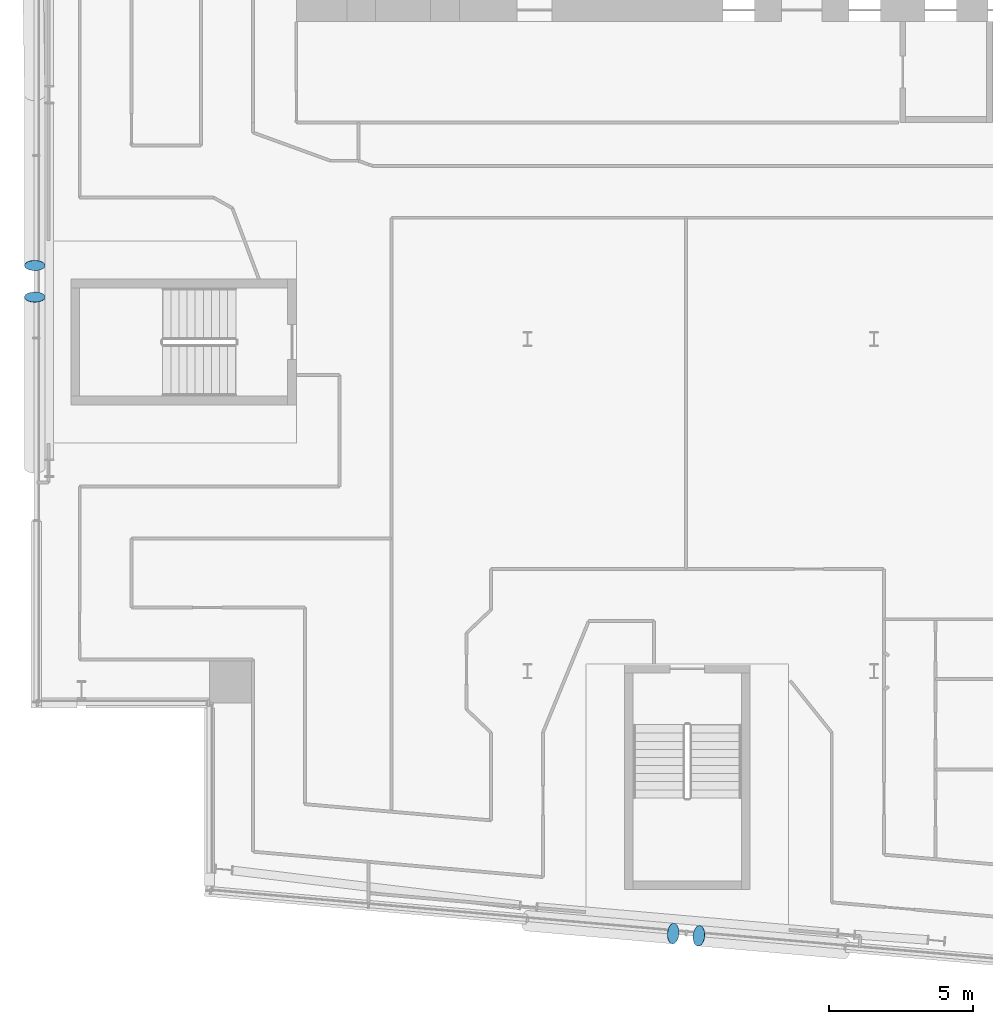
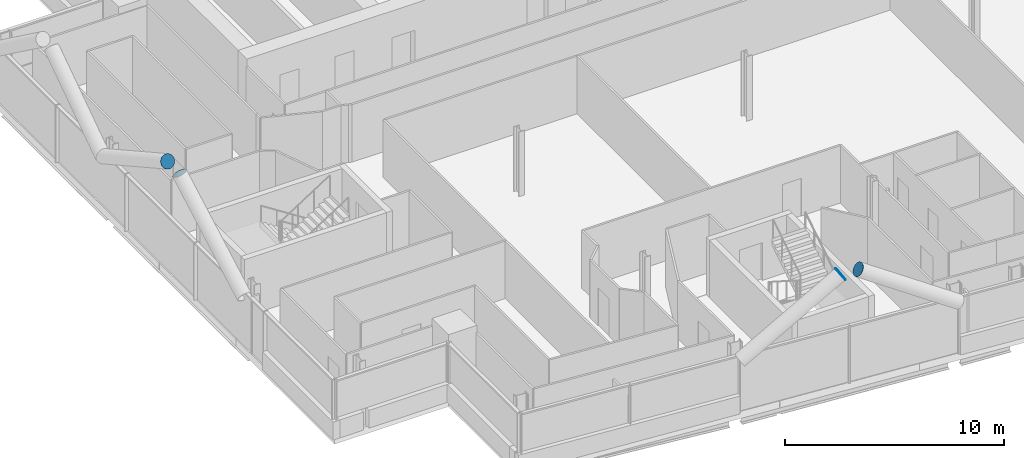
# One storey, part 22 of 27: 4 discrete accessories.
"""IFC4 building model written with IfcOpenShell, lengths in metres."""

from ifc_helpers import new_model, si_unit, direction, frame, origin, origin_2d, place, context, subcontext, project, spatial, circle, extrude, material, material_profile, profile_set, type_object, element, save


model = new_model("IFC4")

# Units and contexts
model_context = context("Model", 3, precision=1e-05, world=origin(), true_north=direction((0.0, 1.0)))
body_context = subcontext(model_context, "Body", "Model", "MODEL_VIEW")
ifc_project = project(units=[si_unit("LENGTHUNIT", "METRE"), si_unit("AREAUNIT", "SQUARE_METRE"), si_unit("VOLUMEUNIT", "CUBIC_METRE"), si_unit("PLANEANGLEUNIT", "RADIAN"), si_unit("MASSUNIT", "GRAM", prefix="KILO")], contexts=[model_context])

# Site, building, storey
site_placement = place(None, origin())
site = spatial("IfcSite", under=ifc_project, at=site_placement, CompositionType="ELEMENT")
building_placement = place(site_placement, origin())
building = spatial("IfcBuilding", under=site, at=building_placement, Name="Wharfspan Tower", CompositionType="ELEMENT")
storey_placement = place(building_placement, frame((0.0, 0.0, 191.5)))
storey = spatial("IfcBuildingStorey", under=building, at=storey_placement, Name="L47", CompositionType="ELEMENT", Elevation=191.5)

# Discrete accessories
ifc_material = material(Name="Steel S460NH", Category="steel")
ifc_material_profile = material_profile(ifc_material, circle(Radius=0.355469, at=origin_2d()))
ifc_profile_set = profile_set([ifc_material_profile], Name="Steel S460NH")
discrete_accessory_type = type_object("IfcDiscreteAccessoryType", Name="End plate CHS 711x36", PredefinedType="BRACKET", material=ifc_profile_set)
discrete_accessory_placement = place(storey_placement, frame((29.043213, 2.41626, 6.204102), z_axis=(0.83357, -0.071449, 0.547774), x_axis=(0.085401, 0.996343, 0.0)))
element("IfcDiscreteAccessory", 1, at=discrete_accessory_placement, inside=storey, type_object=discrete_accessory_type, Name="End plate CHS 711x36", PredefinedType="BRACKET", context=body_context, shape_type="SweptSolid", body=[
    extrude(circle(Radius=0.355469, at=origin_2d()), origin(), (0.0, 0.0, 1.0), 0.010254),
])
for number, where, z_axis, x_axis, name in (
    (2, (29.947021, 2.337158, 6.204102), (-0.82608, 0.072889, 0.558819), (-0.087894, -0.99613, -1e-06), "End plate CHS 711x36"),
    (3, (6.945068, 25.554443, 6.191406), (0.0, -0.874157, 0.485643), (1.0, 0.0, 0.0), "End plate CHS 711x36"),
    (4, (6.945068, 24.445557, 6.191406), (0.0, 0.874157, 0.485643), (-1.0, 0.0, 0.0), "End plate CHS 711x36"),
):
    element("IfcDiscreteAccessory", number, at=place(storey_placement, frame(where, z_axis=z_axis, x_axis=x_axis)), inside=storey, type_object=discrete_accessory_type, Name=name, PredefinedType="BRACKET", context=body_context, shape_type="SweptSolid", body=[
        extrude(circle(Radius=0.355469, at=origin_2d()), origin(), (0.0, 0.0, 1.0), 0.01001),
    ])

save(model, "model.ifc")
